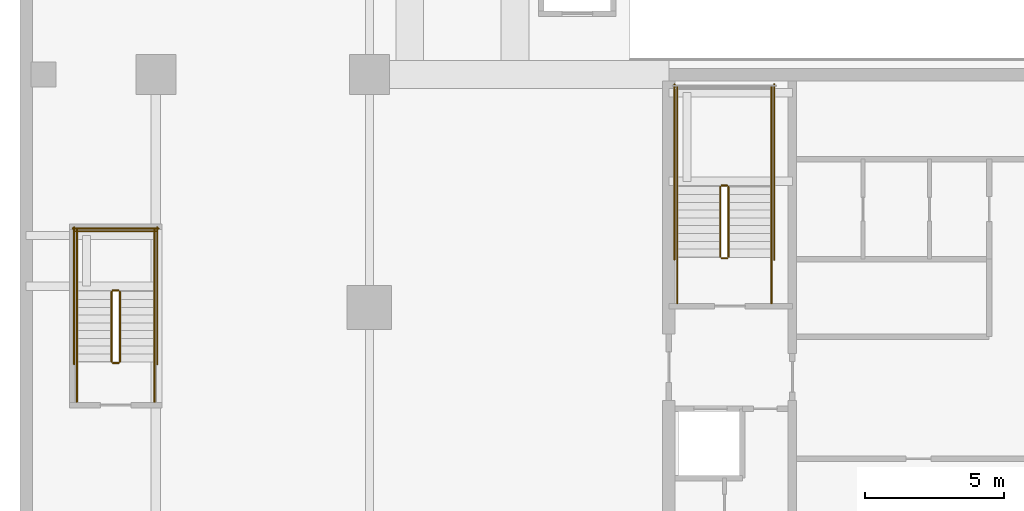
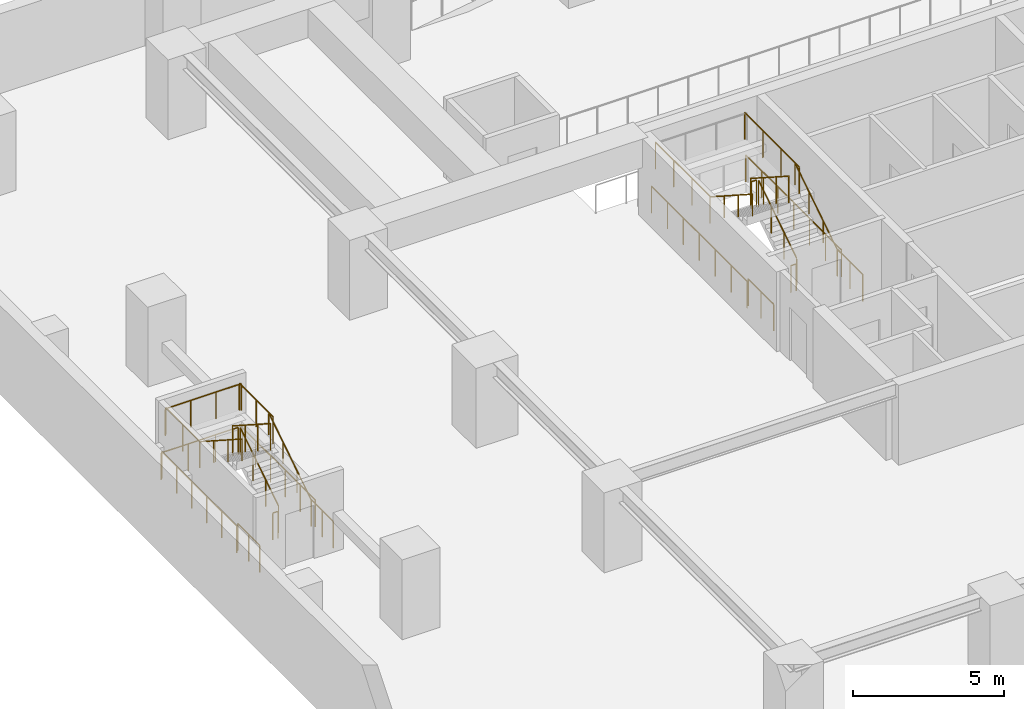
# One storey, part 8 of 10: 26 railings.
"""IFC4 building model written with IfcOpenShell, lengths in metres."""

from ifc_helpers import new_model, si_unit, direction, frame, origin, origin_2d, place, context, subcontext, project, spatial, circle, extrude, material, type_object, element, save


model = new_model("IFC4")

# Units and contexts
model_context = context("Model", 3, precision=1e-05, world=origin(), true_north=direction((0.0, 1.0)))
body_context = subcontext(model_context, "Body", "Model", "MODEL_VIEW")
ifc_project = project(units=[si_unit("LENGTHUNIT", "METRE"), si_unit("AREAUNIT", "SQUARE_METRE"), si_unit("VOLUMEUNIT", "CUBIC_METRE"), si_unit("PLANEANGLEUNIT", "RADIAN"), si_unit("MASSUNIT", "GRAM", prefix="KILO")], contexts=[model_context])

# Site, building, storey
site_placement = place(None, origin())
site = spatial("IfcSite", under=ifc_project, at=site_placement, CompositionType="ELEMENT")
building_placement = place(site_placement, origin())
building = spatial("IfcBuilding", under=site, at=building_placement, Name="Serunith Strait Residences", CompositionType="ELEMENT")
storey_placement = place(building_placement, frame((0.0, 0.0, -3.60009765625)))
storey = spatial("IfcBuildingStorey", under=building, at=storey_placement, Name="B01", CompositionType="ELEMENT", Elevation=-3.60009765625)

# Railings
ifc_material = material(Name="Brushed stainless steel 316L", Category="steel")
railing_type_1 = type_object("IfcRailingType", Name="RLG-STAIR-GUARD", PredefinedType="BALUSTRADE", material=ifc_material)
railing_1_placement = place(storey_placement, frame((25.550048828125, 27.030029296875, 0.18017578125)))
element("IfcRailing", 1, at=railing_1_placement, inside=storey, type_object=railing_type_1, Name="B01 ST-1 stair guard 1", PredefinedType="BALUSTRADE", context=body_context, shape_type="SweptSolid", body=[
    extrude(circle(Radius=0.02392578125, at=origin_2d()), frame((0.0, 0.001708984375, 1.0771484375), z_axis=(0.0, 0.841199657755, 0.540724639528), x_axis=(-1.0, 0.0, 0.0)), (0.0, 0.0, 1.0), 2.99169921875),
    extrude(circle(Radius=0.02099609375, at=origin_2d()), origin(), (0.0, 0.0, 1.0), 1.050048828125),
    extrude(circle(Radius=0.02099609375, at=origin_2d()), frame((0.0, 0.840087890625, 0.5400390625)), (0.0, 0.0, 1.0), 1.050048828125),
    extrude(circle(Radius=0.02099609375, at=origin_2d()), frame((0.0, 1.679931640625, 1.079833984375)), (0.0, 0.0, 1.0), 1.050048828125),
    extrude(circle(Radius=0.02099609375, at=origin_2d()), frame((0.0, 2.52001953125, 1.619873046875)), (0.0, 0.0, 1.0), 1.050048828125),
])
railing_2_placement = place(storey_placement, frame((25.5, 29.60009765625, 1.800048828125)))
element("IfcRailing", 2, at=railing_2_placement, inside=storey, type_object=railing_type_1, Name="B01 ST-1 stair guard 2", PredefinedType="BALUSTRADE", context=body_context, shape_type="SweptSolid", body=[
    extrude(circle(Radius=0.02392578125, at=origin_2d()), frame((-0.001953125, 0.0, 1.076171875), z_axis=(-1.0, 0.0, 0.0), x_axis=(0.0, -1.0, 0.0)), (0.0, 0.0, 1.0), 0.196044921875),
    extrude(circle(Radius=0.02099609375, at=origin_2d()), origin(), (0.0, 0.0, 1.0), 1.050048828125),
    extrude(circle(Radius=0.02099609375, at=origin_2d()), frame((-0.199951171875, 0.0, 0.0)), (0.0, 0.0, 1.0), 1.050048828125),
])
for number, where, name in (
    (3, (27.10009765625, 29.550048828125, 1.800048828125), "B01 ST-1 stair guard 3"),
    (4, (23.699951171875, 29.550048828125, 1.800048828125), "B01 ST-1 stair guard 4"),
):
    element("IfcRailing", number, at=place(storey_placement, frame(where)), inside=storey, type_object=railing_type_1, Name=name, PredefinedType="BALUSTRADE", context=body_context, shape_type="SweptSolid", body=[
        extrude(circle(Radius=0.02392578125, at=origin_2d()), frame((0.0, 0.001953125, 1.076171875), z_axis=(0.0, 1.0, 0.0), x_axis=(-1.0, 0.0, 0.0)), (0.0, 0.0, 1.0), 3.595947265625),
        extrude(circle(Radius=0.02099609375, at=origin_2d()), origin(), (0.0, 0.0, 1.0), 1.050048828125),
        extrude(circle(Radius=0.02099609375, at=origin_2d()), frame((0.0, 1.199951171875, 0.0)), (0.0, 0.0, 1.0), 1.050048828125),
        extrude(circle(Radius=0.02099609375, at=origin_2d()), frame((0.0, 2.39990234375, 0.0)), (0.0, 0.0, 1.0), 1.050048828125),
        extrude(circle(Radius=0.02099609375, at=origin_2d()), frame((0.0, 3.599853515625, 0.0)), (0.0, 0.0, 1.0), 1.050048828125),
    ])
railing_3_placement = place(storey_placement, frame((25.25, 29.550048828125, 1.97998046875)))
element("IfcRailing", 5, at=railing_3_placement, inside=storey, type_object=railing_type_1, Name="B01 ST-1 stair guard 6", PredefinedType="BALUSTRADE", context=body_context, shape_type="SweptSolid", body=[
    extrude(circle(Radius=0.02392578125, at=origin_2d()), frame((0.0, -0.001708984375, 1.0771484375), z_axis=(0.0, -0.841162588446, 0.540782303519), x_axis=(1.0, 0.0, 0.0)), (0.0, 0.0, 1.0), 2.991943359375),
    extrude(circle(Radius=0.02099609375, at=origin_2d()), origin(), (0.0, 0.0, 1.0), 1.050048828125),
    extrude(circle(Radius=0.02099609375, at=origin_2d()), frame((0.0, -0.840087890625, 0.5400390625)), (0.0, 0.0, 1.0), 1.050048828125),
    extrude(circle(Radius=0.02099609375, at=origin_2d()), frame((0.0, -1.679931640625, 1.080078125)), (0.0, 0.0, 1.0), 1.050048828125),
    extrude(circle(Radius=0.02099609375, at=origin_2d()), frame((0.0, -2.52001953125, 1.6201171875)), (0.0, 0.0, 1.0), 1.050048828125),
])
railing_4_placement = place(storey_placement, frame((25.5, 26.97998046875, 0.0)))
element("IfcRailing", 6, at=railing_4_placement, inside=storey, type_object=railing_type_1, Name="B01 ST-1 stair guard 7", PredefinedType="BALUSTRADE", context=body_context, shape_type="SweptSolid", body=[
    extrude(circle(Radius=0.02392578125, at=origin_2d()), frame((-0.001953125, 0.0, 1.076171875), z_axis=(-1.0, 0.0, 0.0), x_axis=(0.0, -1.0, 0.0)), (0.0, 0.0, 1.0), 0.196044921875),
    extrude(circle(Radius=0.02099609375, at=origin_2d()), origin(), (0.0, 0.0, 1.0), 1.050048828125),
    extrude(circle(Radius=0.02099609375, at=origin_2d()), frame((-0.199951171875, 0.0, 0.0)), (0.0, 0.0, 1.0), 1.050048828125),
])
for number, where, name in (
    (7, (27.10009765625, 25.35009765625, 0.0), "B01 ST-1 stair guard 8"),
    (8, (23.699951171875, 25.35009765625, 0.0), "B01 ST-1 stair guard 9"),
):
    element("IfcRailing", number, at=place(storey_placement, frame(where)), inside=storey, type_object=railing_type_1, Name=name, PredefinedType="BALUSTRADE", context=body_context, shape_type="SweptSolid", body=[
        extrude(circle(Radius=0.02392578125, at=origin_2d()), frame((0.0, 0.001953125, 1.076171875), z_axis=(0.0, 1.0, 0.0), x_axis=(-1.0, 0.0, 0.0)), (0.0, 0.0, 1.0), 1.676025390625),
        extrude(circle(Radius=0.02099609375, at=origin_2d()), origin(), (0.0, 0.0, 1.0), 1.050048828125),
        extrude(circle(Radius=0.02099609375, at=origin_2d()), frame((0.0, 0.83984375, 0.0)), (0.0, 0.0, 1.0), 1.050048828125),
        extrude(circle(Radius=0.02099609375, at=origin_2d()), frame((0.0, 1.679931640625, 0.0)), (0.0, 0.0, 1.0), 1.050048828125),
    ])
for number, where, name in (
    (9, (27.199951171875, 26.929931640625, 0.0), "B01 ST-1 stair guard 10"),
    (10, (23.60009765625, 26.929931640625, 0.0), "B01 ST-1 stair guard 11"),
):
    element("IfcRailing", number, at=place(storey_placement, frame(where)), inside=storey, type_object=railing_type_1, Name=name, PredefinedType="BALUSTRADE", context=body_context, shape_type="SweptSolid", body=[
        extrude(circle(Radius=0.02392578125, at=origin_2d()), frame((0.0, 0.001953125, 1.076171875), z_axis=(0.0, 1.0, 0.0), x_axis=(-1.0, 0.0, 0.0)), (0.0, 0.0, 1.0), 6.316162109375),
        extrude(circle(Radius=0.02099609375, at=origin_2d()), origin(), (0.0, 0.0, 1.0), 1.050048828125),
        extrude(circle(Radius=0.02099609375, at=origin_2d()), frame((0.0, 1.05322265625, 0.0)), (0.0, 0.0, 1.0), 1.050048828125),
        extrude(circle(Radius=0.02099609375, at=origin_2d()), frame((0.0, 2.106689453125, 0.0)), (0.0, 0.0, 1.0), 1.050048828125),
        extrude(circle(Radius=0.02099609375, at=origin_2d()), frame((0.0, 3.16015625, 0.0)), (0.0, 0.0, 1.0), 1.050048828125),
        extrude(circle(Radius=0.02099609375, at=origin_2d()), frame((0.0, 4.21337890625, 0.0)), (0.0, 0.0, 1.0), 1.050048828125),
        extrude(circle(Radius=0.02099609375, at=origin_2d()), frame((0.0, 5.2666015625, 0.0)), (0.0, 0.0, 1.0), 1.050048828125),
        extrude(circle(Radius=0.02099609375, at=origin_2d()), frame((0.0, 6.320068359375, 0.0)), (0.0, 0.0, 1.0), 1.050048828125),
    ])
railing_5_placement = place(storey_placement, frame((3.60009765625, 23.25, 0.18017578125)))
element("IfcRailing", 11, at=railing_5_placement, inside=storey, type_object=railing_type_1, Name="B01 ST-5 stair guard 1", PredefinedType="BALUSTRADE", context=body_context, shape_type="SweptSolid", body=[
    extrude(circle(Radius=0.02392578125, at=origin_2d()), frame((0.0, 0.001708984375, 1.0771484375), z_axis=(0.0, 0.841199657755, 0.540724639528), x_axis=(-1.0, 0.0, 0.0)), (0.0, 0.0, 1.0), 2.99169921875),
    extrude(circle(Radius=0.02099609375, at=origin_2d()), origin(), (0.0, 0.0, 1.0), 1.050048828125),
    extrude(circle(Radius=0.02099609375, at=origin_2d()), frame((0.0, 0.840087890625, 0.5400390625)), (0.0, 0.0, 1.0), 1.050048828125),
    extrude(circle(Radius=0.02099609375, at=origin_2d()), frame((0.0, 1.679931640625, 1.079833984375)), (0.0, 0.0, 1.0), 1.050048828125),
    extrude(circle(Radius=0.02099609375, at=origin_2d()), frame((0.0, 2.52001953125, 1.619873046875)), (0.0, 0.0, 1.0), 1.050048828125),
])
railing_6_placement = place(storey_placement, frame((3.550048828125, 25.820068359375, 1.800048828125)))
element("IfcRailing", 12, at=railing_6_placement, inside=storey, type_object=railing_type_1, Name="B01 ST-5 stair guard 2", PredefinedType="BALUSTRADE", context=body_context, shape_type="SweptSolid", body=[
    extrude(circle(Radius=0.02392578125, at=origin_2d()), frame((-0.001953125, 0.0, 1.076171875), z_axis=(-1.0, 0.0, 0.0), x_axis=(0.0, -1.0, 0.0)), (0.0, 0.0, 1.0), 0.196044921875),
    extrude(circle(Radius=0.02099609375, at=origin_2d()), origin(), (0.0, 0.0, 1.0), 1.050048828125),
    extrude(circle(Radius=0.02099609375, at=origin_2d()), frame((-0.199951171875, 0.0, 0.0)), (0.0, 0.0, 1.0), 1.050048828125),
])
for number, where, name in (
    (13, (4.85009765625, 25.77001953125, 1.800048828125), "B01 ST-5 stair guard 3"),
    (14, (2.050048828125, 25.77001953125, 1.800048828125), "B01 ST-5 stair guard 4"),
):
    element("IfcRailing", number, at=place(storey_placement, frame(where)), inside=storey, type_object=railing_type_1, Name=name, PredefinedType="BALUSTRADE", context=body_context, shape_type="SweptSolid", body=[
        extrude(circle(Radius=0.02392578125, at=origin_2d()), frame((0.0, 0.001953125, 1.076171875), z_axis=(0.0, 1.0, 0.0), x_axis=(-1.0, 0.0, 0.0)), (0.0, 0.0, 1.0), 2.22607421875),
        extrude(circle(Radius=0.02099609375, at=origin_2d()), origin(), (0.0, 0.0, 1.0), 1.050048828125),
        extrude(circle(Radius=0.02099609375, at=origin_2d()), frame((0.0, 1.114990234375, 0.0)), (0.0, 0.0, 1.0), 1.050048828125),
        extrude(circle(Radius=0.02099609375, at=origin_2d()), frame((0.0, 2.22998046875, 0.0)), (0.0, 0.0, 1.0), 1.050048828125),
    ])
railing_7_placement = place(storey_placement, frame((4.89990234375, 27.949951171875, 1.800048828125)))
element("IfcRailing", 15, at=railing_7_placement, inside=storey, type_object=railing_type_1, Name="B01 ST-5 stair guard 5", PredefinedType="BALUSTRADE", context=body_context, shape_type="SweptSolid", body=[
    extrude(circle(Radius=0.02392578125, at=origin_2d()), frame((-0.001953125, 0.0, 1.076171875), z_axis=(-1.0, 0.0, 0.0), x_axis=(0.0, -1.0, 0.0)), (0.0, 0.0, 1.0), 2.89599609375),
    extrude(circle(Radius=0.02099609375, at=origin_2d()), origin(), (0.0, 0.0, 1.0), 1.050048828125),
    extrude(circle(Radius=0.02099609375, at=origin_2d()), frame((-0.966552734375, 0.0, 0.0)), (0.0, 0.0, 1.0), 1.050048828125),
    extrude(circle(Radius=0.02099609375, at=origin_2d()), frame((-1.933349609375, 0.0, 0.0)), (0.0, 0.0, 1.0), 1.050048828125),
    extrude(circle(Radius=0.02099609375, at=origin_2d()), frame((-2.89990234375, 0.0, 0.0)), (0.0, 0.0, 1.0), 1.050048828125),
])
railing_8_placement = place(storey_placement, frame((3.300048828125, 25.77001953125, 1.97998046875)))
element("IfcRailing", 16, at=railing_8_placement, inside=storey, type_object=railing_type_1, Name="B01 ST-5 stair guard 6", PredefinedType="BALUSTRADE", context=body_context, shape_type="SweptSolid", body=[
    extrude(circle(Radius=0.02392578125, at=origin_2d()), frame((0.0, -0.001708984375, 1.0771484375), z_axis=(0.0, -0.841162588446, 0.540782303519), x_axis=(1.0, 0.0, 0.0)), (0.0, 0.0, 1.0), 2.991943359375),
    extrude(circle(Radius=0.02099609375, at=origin_2d()), origin(), (0.0, 0.0, 1.0), 1.050048828125),
    extrude(circle(Radius=0.02099609375, at=origin_2d()), frame((0.0, -0.840087890625, 0.5400390625)), (0.0, 0.0, 1.0), 1.050048828125),
    extrude(circle(Radius=0.02099609375, at=origin_2d()), frame((0.0, -1.679931640625, 1.080078125)), (0.0, 0.0, 1.0), 1.050048828125),
    extrude(circle(Radius=0.02099609375, at=origin_2d()), frame((0.0, -2.52001953125, 1.6201171875)), (0.0, 0.0, 1.0), 1.050048828125),
])
railing_9_placement = place(storey_placement, frame((3.550048828125, 23.199951171875, 0.0)))
element("IfcRailing", 17, at=railing_9_placement, inside=storey, type_object=railing_type_1, Name="B01 ST-5 stair guard 7", PredefinedType="BALUSTRADE", context=body_context, shape_type="SweptSolid", body=[
    extrude(circle(Radius=0.02392578125, at=origin_2d()), frame((-0.001953125, 0.0, 1.076171875), z_axis=(-1.0, 0.0, 0.0), x_axis=(0.0, -1.0, 0.0)), (0.0, 0.0, 1.0), 0.196044921875),
    extrude(circle(Radius=0.02099609375, at=origin_2d()), origin(), (0.0, 0.0, 1.0), 1.050048828125),
    extrude(circle(Radius=0.02099609375, at=origin_2d()), frame((-0.199951171875, 0.0, 0.0)), (0.0, 0.0, 1.0), 1.050048828125),
])
for number, where, name in (
    (18, (4.85009765625, 21.800048828125, 0.0), "B01 ST-5 stair guard 8"),
    (19, (2.050048828125, 21.800048828125, 0.0), "B01 ST-5 stair guard 9"),
):
    element("IfcRailing", number, at=place(storey_placement, frame(where)), inside=storey, type_object=railing_type_1, Name=name, PredefinedType="BALUSTRADE", context=body_context, shape_type="SweptSolid", body=[
        extrude(circle(Radius=0.02392578125, at=origin_2d()), frame((0.0, 0.001953125, 1.076171875), z_axis=(0.0, 1.0, 0.0), x_axis=(-1.0, 0.0, 0.0)), (0.0, 0.0, 1.0), 1.446044921875),
        extrude(circle(Radius=0.02099609375, at=origin_2d()), origin(), (0.0, 0.0, 1.0), 1.050048828125),
        extrude(circle(Radius=0.02099609375, at=origin_2d()), frame((0.0, 0.72509765625, 0.0)), (0.0, 0.0, 1.0), 1.050048828125),
        extrude(circle(Radius=0.02099609375, at=origin_2d()), frame((0.0, 1.449951171875, 0.0)), (0.0, 0.0, 1.0), 1.050048828125),
    ])
for number, where, name in (
    (20, (4.949951171875, 23.14990234375, 0.0), "B01 ST-5 stair guard 10"),
    (21, (1.949951171875, 23.14990234375, 0.0), "B01 ST-5 stair guard 11"),
):
    element("IfcRailing", number, at=place(storey_placement, frame(where)), inside=storey, type_object=railing_type_1, Name=name, PredefinedType="BALUSTRADE", context=body_context, shape_type="SweptSolid", body=[
        extrude(circle(Radius=0.02392578125, at=origin_2d()), frame((0.0, 0.001953125, 1.076171875), z_axis=(0.0, 1.0, 0.0), x_axis=(-1.0, 0.0, 0.0)), (0.0, 0.0, 1.0), 4.9462890625),
        extrude(circle(Radius=0.02099609375, at=origin_2d()), origin(), (0.0, 0.0, 1.0), 1.050048828125),
        extrude(circle(Radius=0.02099609375, at=origin_2d()), frame((0.0, 0.989990234375, 0.0)), (0.0, 0.0, 1.0), 1.050048828125),
        extrude(circle(Radius=0.02099609375, at=origin_2d()), frame((0.0, 1.97998046875, 0.0)), (0.0, 0.0, 1.0), 1.050048828125),
        extrude(circle(Radius=0.02099609375, at=origin_2d()), frame((0.0, 2.97021484375, 0.0)), (0.0, 0.0, 1.0), 1.050048828125),
        extrude(circle(Radius=0.02099609375, at=origin_2d()), frame((0.0, 3.960205078125, 0.0)), (0.0, 0.0, 1.0), 1.050048828125),
        extrude(circle(Radius=0.02099609375, at=origin_2d()), frame((0.0, 4.9501953125, 0.0)), (0.0, 0.0, 1.0), 1.050048828125),
    ])
railing_10_placement = place(storey_placement, frame((5.0, 28.050048828125, 0.0)))
element("IfcRailing", 22, at=railing_10_placement, inside=storey, type_object=railing_type_1, Name="B01 ST-5 stair guard 12", PredefinedType="BALUSTRADE", context=body_context, shape_type="SweptSolid", body=[
    extrude(circle(Radius=0.02392578125, at=origin_2d()), frame((-0.001953125, 0.0, 1.076171875), z_axis=(-1.0, 0.0, 0.0), x_axis=(0.0, -1.0, 0.0)), (0.0, 0.0, 1.0), 3.09619140625),
    extrude(circle(Radius=0.02099609375, at=origin_2d()), origin(), (0.0, 0.0, 1.0), 1.050048828125),
    extrude(circle(Radius=0.02099609375, at=origin_2d()), frame((-1.033447265625, 0.0, 0.0)), (0.0, 0.0, 1.0), 1.050048828125),
    extrude(circle(Radius=0.02099609375, at=origin_2d()), frame((-2.066650390625, 0.0, 0.0)), (0.0, 0.0, 1.0), 1.050048828125),
    extrude(circle(Radius=0.02099609375, at=origin_2d()), frame((-3.10009765625, 0.0, 0.0)), (0.0, 0.0, 1.0), 1.050048828125),
])
railing_type_2 = type_object("IfcRailingType", Name="RLG-STAIR-HR", PredefinedType="HANDRAIL", material=ifc_material)
railing_11_placement = place(storey_placement, frame((27.10009765625, 27.030029296875, 0.18017578125)))
element("IfcRailing", 23, at=railing_11_placement, inside=storey, type_object=railing_type_2, Name="B01 ST-1 stair handrail 1", PredefinedType="HANDRAIL", context=body_context, shape_type="SweptSolid", body=[
    extrude(circle(Radius=0.02392578125, at=origin_2d()), frame((0.0, 0.001708984375, 0.876953125), z_axis=(0.0, 0.840508739616, 0.541797986919), x_axis=(-1.0, 0.0, 0.0)), (0.0, 0.0, 1.0), 3.327392578125),
    extrude(circle(Radius=0.02099609375, at=origin_2d()), origin(), (0.0, 0.0, 1.0), 0.849853515625),
    extrude(circle(Radius=0.02099609375, at=origin_2d()), frame((0.0, 0.933349609375, 0.6015625)), (0.0, 0.0, 1.0), 0.849853515625),
    extrude(circle(Radius=0.02099609375, at=origin_2d()), frame((0.0, 1.86669921875, 1.203369140625)), (0.0, 0.0, 1.0), 0.849853515625),
    extrude(circle(Radius=0.02099609375, at=origin_2d()), frame((0.0, 2.800048828125, 1.804931640625)), (0.0, 0.0, 1.0), 0.849853515625),
])
railing_12_placement = place(storey_placement, frame((23.699951171875, 29.550048828125, 1.97998046875)))
element("IfcRailing", 24, at=railing_12_placement, inside=storey, type_object=railing_type_2, Name="B01 ST-1 stair handrail 2", PredefinedType="HANDRAIL", context=body_context, shape_type="SweptSolid", body=[
    extrude(circle(Radius=0.02392578125, at=origin_2d()), frame((0.0, -0.001708984375, 0.876953125), z_axis=(0.0, -0.840475366265, 0.541849756576), x_axis=(1.0, 0.0, 0.0)), (0.0, 0.0, 1.0), 3.327392578125),
    extrude(circle(Radius=0.02099609375, at=origin_2d()), origin(), (0.0, 0.0, 1.0), 0.849853515625),
    extrude(circle(Radius=0.02099609375, at=origin_2d()), frame((0.0, -0.933349609375, 0.601806640625)), (0.0, 0.0, 1.0), 0.849853515625),
    extrude(circle(Radius=0.02099609375, at=origin_2d()), frame((0.0, -1.86669921875, 1.203369140625)), (0.0, 0.0, 1.0), 0.849853515625),
    extrude(circle(Radius=0.02099609375, at=origin_2d()), frame((0.0, -2.800048828125, 1.80517578125)), (0.0, 0.0, 1.0), 0.849853515625),
])
railing_13_placement = place(storey_placement, frame((4.85009765625, 23.25, 0.18017578125)))
element("IfcRailing", 25, at=railing_13_placement, inside=storey, type_object=railing_type_2, Name="B01 ST-5 stair handrail 1", PredefinedType="HANDRAIL", context=body_context, shape_type="SweptSolid", body=[
    extrude(circle(Radius=0.02392578125, at=origin_2d()), frame((0.0, 0.001708984375, 0.876953125), z_axis=(0.0, 0.840508739616, 0.541797986919), x_axis=(-1.0, 0.0, 0.0)), (0.0, 0.0, 1.0), 3.327392578125),
    extrude(circle(Radius=0.02099609375, at=origin_2d()), origin(), (0.0, 0.0, 1.0), 0.849853515625),
    extrude(circle(Radius=0.02099609375, at=origin_2d()), frame((0.0, 0.933349609375, 0.6015625)), (0.0, 0.0, 1.0), 0.849853515625),
    extrude(circle(Radius=0.02099609375, at=origin_2d()), frame((0.0, 1.86669921875, 1.203369140625)), (0.0, 0.0, 1.0), 0.849853515625),
    extrude(circle(Radius=0.02099609375, at=origin_2d()), frame((0.0, 2.800048828125, 1.804931640625)), (0.0, 0.0, 1.0), 0.849853515625),
])
railing_14_placement = place(storey_placement, frame((2.050048828125, 25.77001953125, 1.97998046875)))
element("IfcRailing", 26, at=railing_14_placement, inside=storey, type_object=railing_type_2, Name="B01 ST-5 stair handrail 2", PredefinedType="HANDRAIL", context=body_context, shape_type="SweptSolid", body=[
    extrude(circle(Radius=0.02392578125, at=origin_2d()), frame((0.0, -0.001708984375, 0.876953125), z_axis=(0.0, -0.840475366265, 0.541849756576), x_axis=(1.0, 0.0, 0.0)), (0.0, 0.0, 1.0), 3.327392578125),
    extrude(circle(Radius=0.02099609375, at=origin_2d()), origin(), (0.0, 0.0, 1.0), 0.849853515625),
    extrude(circle(Radius=0.02099609375, at=origin_2d()), frame((0.0, -0.933349609375, 0.601806640625)), (0.0, 0.0, 1.0), 0.849853515625),
    extrude(circle(Radius=0.02099609375, at=origin_2d()), frame((0.0, -1.86669921875, 1.203369140625)), (0.0, 0.0, 1.0), 0.849853515625),
    extrude(circle(Radius=0.02099609375, at=origin_2d()), frame((0.0, -2.800048828125, 1.80517578125)), (0.0, 0.0, 1.0), 0.849853515625),
])

save(model, "model.ifc")
